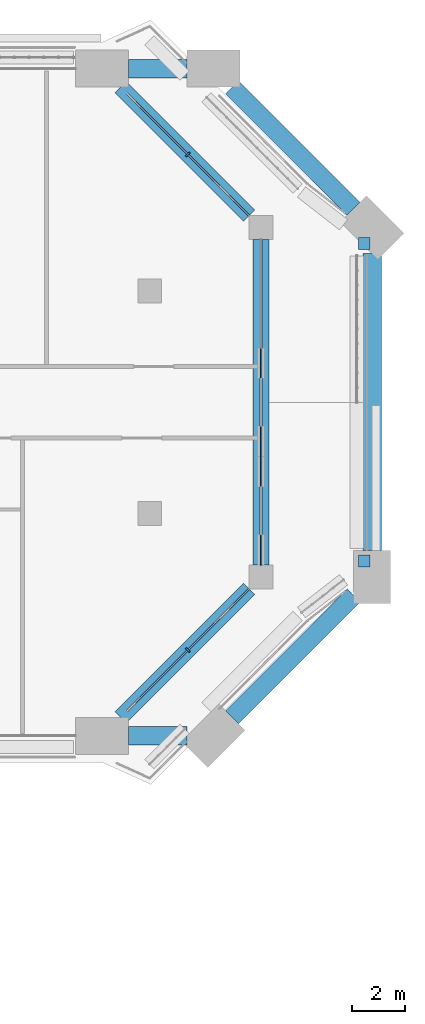
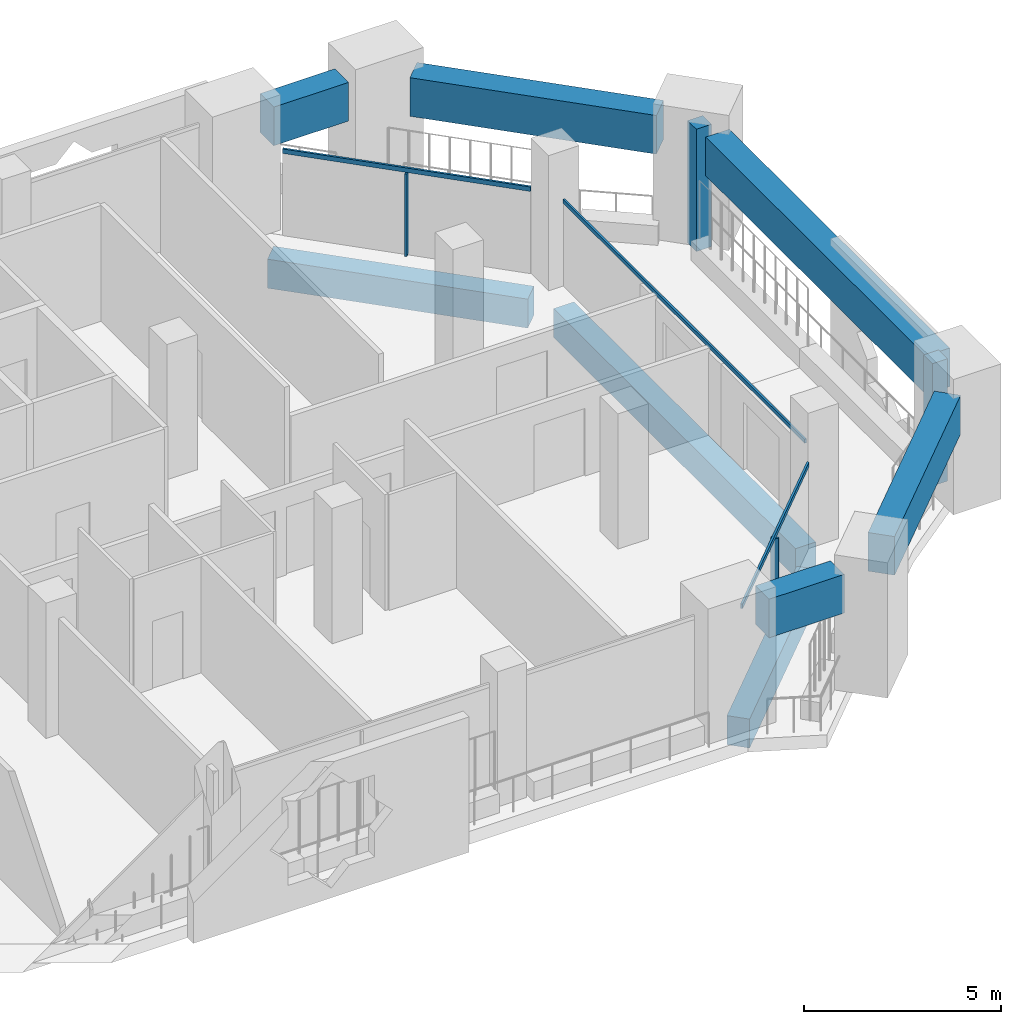
# One storey, part 7 of 21: 8 beams, 7 members, 4 elements without a shape of their own.
"""IFC4 building model written with IfcOpenShell, lengths in metres."""

from ifc_helpers import new_model, si_unit, direction, frame, origin, origin_2d, place, context, subcontext, project, spatial, rectangle, extrude, material, layer, layer_set, material_profile, profile_set, type_object, element, aggregate, save


model = new_model("IFC4")

# Units and contexts
model_context = context("Model", 3, precision=1e-05, world=origin(), true_north=direction((0.0, 1.0)))
body_context = subcontext(model_context, "Body", "Model", "MODEL_VIEW")
ifc_project = project(units=[si_unit("LENGTHUNIT", "METRE"), si_unit("AREAUNIT", "SQUARE_METRE"), si_unit("VOLUMEUNIT", "CUBIC_METRE"), si_unit("PLANEANGLEUNIT", "RADIAN"), si_unit("MASSUNIT", "GRAM", prefix="KILO")], contexts=[model_context])

# Site, building, storey
site_placement = place(None, origin())
site = spatial("IfcSite", under=ifc_project, at=site_placement, CompositionType="ELEMENT")
building_placement = place(site_placement, origin())
building = spatial("IfcBuilding", under=site, at=building_placement, Name="Kawkab Arch Medical Tower", CompositionType="ELEMENT")
storey_placement = place(building_placement, frame((0.0, 0.0, 234.800048828125)))
storey = spatial("IfcBuildingStorey", under=building, at=storey_placement, Name="L54", CompositionType="ELEMENT", Elevation=234.800048828125)

# Curtain wall, member
ifc_material_1 = material(Name="Bronze anodised aluminium curtain wall frame", Category="aluminium")
ifc_layer_1 = layer(ifc_material_1, 0.159912109375)
ifc_layer_set_1 = layer_set([ifc_layer_1], Name="Bronze anodised aluminium curtain wall frame")
curtain_wall_type_1 = type_object("IfcCurtainWallType", Name="CW1 ward curtain wall", PredefinedType="NOTDEFINED", material=ifc_layer_set_1)
placement = place(storey_placement, origin())
curtain_wall_1 = element("IfcCurtainWall", 1, at=placement, inside=storey, type_object=curtain_wall_type_1, Name="CW1 Ward curtain wall R09", PredefinedType="NOTDEFINED")
ifc_material_2 = material(Name="Bronze anodised aluminium curtain wall frame", Category="aluminium")
ifc_material_profile_1 = material_profile(ifc_material_2, rectangle(XDim=0.06005859375, YDim=0.1201171875, at=origin_2d()), Name="AL 60x120")
ifc_profile_set_1 = profile_set([ifc_material_profile_1], Name="Bronze anodised aluminium curtain wall frame")
member_type_1 = type_object("IfcMemberType", Name="CW1 transom 120 x 60", PredefinedType="USERDEFINED", material=ifc_profile_set_1)
member_1_placement = place(storey_placement, frame((63.0, -18.75, 2.639892578125), z_axis=(0.0, 1.0, 0.0), x_axis=(-1.0, 0.0, 0.0)))
member_1 = element("IfcMember", 2, at=member_1_placement, type_object=member_type_1, Name="CW1 transom 1", ObjectType="TRANSOM", PredefinedType="USERDEFINED", context=body_context, shape_type="SweptSolid", body=[
    extrude(rectangle(XDim=0.06005859375, YDim=0.1201171875, at=origin_2d()), origin(), (0.0, 0.0, 1.0), 12.300048828125),
])
aggregate(curtain_wall_1, [member_1])

ifc_material_3 = material(Name="Bronze anodised aluminium curtain wall frame", Category="aluminium")
ifc_layer_2 = layer(ifc_material_3, 0.159912109375)
ifc_layer_set_2 = layer_set([ifc_layer_2], Name="Bronze anodised aluminium curtain wall frame")
curtain_wall_type_2 = type_object("IfcCurtainWallType", Name="CW2 chamfer curtain wall", PredefinedType="NOTDEFINED", material=ifc_layer_set_2)
curtain_wall_2 = element("IfcCurtainWall", 3, at=placement, inside=storey, type_object=curtain_wall_type_2, Name="CW2 Chamfer curtain wall R08", PredefinedType="NOTDEFINED")
ifc_material_4 = material(Name="Bronze anodised aluminium curtain wall frame", Category="aluminium")
ifc_material_profile_2 = material_profile(ifc_material_4, rectangle(XDim=0.199951171875, YDim=0.06005859375, at=origin_2d()), Name="AL 60x200")
ifc_profile_set_2 = profile_set([ifc_material_profile_2], Name="Bronze anodised aluminium curtain wall frame")
member_type_2 = type_object("IfcMemberType", Name="CW2 mullion 60 x 200", PredefinedType="MULLION", material=ifc_profile_set_2)
member_2_placement = place(storey_placement, frame((60.240234375, -21.959716796875, 0.0), z_axis=(0.0, 0.0, 1.0), x_axis=(-0.707106781187, 0.707106781187, 0.0)))
member_2 = element("IfcMember", 4, at=member_2_placement, type_object=member_type_2, Name="CW2 mullion 1.1", PredefinedType="MULLION", context=body_context, shape_type="SweptSolid", body=[
    extrude(rectangle(XDim=0.199951171875, YDim=0.06005859375, at=origin_2d()), origin(), (0.0, 0.0, 1.0), 2.56005859375),
])

curtain_wall_3 = element("IfcCurtainWall", 5, at=placement, inside=storey, type_object=curtain_wall_type_2, Name="CW2 Chamfer curtain wall R10", PredefinedType="NOTDEFINED")
member_3_placement = place(storey_placement, frame((60.240234375, -3.240234375, 0.0), z_axis=(0.0, 0.0, 1.0), x_axis=(-0.707106781187, -0.707106781187, 0.0)))
member_3 = element("IfcMember", 6, at=member_3_placement, type_object=member_type_2, Name="CW2 mullion 1.1", PredefinedType="MULLION", context=body_context, shape_type="SweptSolid", body=[
    extrude(rectangle(XDim=0.199951171875, YDim=0.06005859375, at=origin_2d()), origin(), (0.0, 0.0, 1.0), 2.56005859375),
])

# Member
ifc_material_5 = material(Name="Bronze anodised aluminium curtain wall frame", Category="aluminium")
ifc_material_profile_3 = material_profile(ifc_material_5, rectangle(XDim=0.06005859375, YDim=0.139892578125, at=origin_2d()), Name="AL 60x140")
ifc_profile_set_3 = profile_set([ifc_material_profile_3], Name="Bronze anodised aluminium curtain wall frame")
member_type_3 = type_object("IfcMemberType", Name="CW2 transom 140 x 60", PredefinedType="USERDEFINED", material=ifc_profile_set_3)
member_4_placement = place(storey_placement, frame((57.930419921875, -24.269775390625, 2.6298828125), z_axis=(0.707088096654, 0.707125465225, 0.0), x_axis=(-0.707125465225, 0.707088096654, 0.0)))
member_4 = element("IfcMember", 7, at=member_4_placement, type_object=member_type_3, Name="CW2 transom 1", ObjectType="TRANSOM", PredefinedType="USERDEFINED", context=body_context, shape_type="SweptSolid", body=[
    extrude(rectangle(XDim=0.06005859375, YDim=0.139892578125, at=origin_2d()), origin(), (0.0, 0.0, 1.0), 6.533203125),
])

aggregate(curtain_wall_2, [member_4, member_2])

member_5_placement = place(storey_placement, frame((62.550048828125, -5.550048828125, 2.6298828125), z_axis=(-0.707106781187, 0.707106781187, 0.0), x_axis=(-0.707106781187, -0.707106781187, 0.0)))
member_5 = element("IfcMember", 8, at=member_5_placement, type_object=member_type_3, Name="CW2 transom 1", ObjectType="TRANSOM", PredefinedType="USERDEFINED", context=body_context, shape_type="SweptSolid", body=[
    extrude(rectangle(XDim=0.06005859375, YDim=0.139892578125, at=origin_2d()), origin(), (0.0, 0.0, 1.0), 6.533203125),
])

aggregate(curtain_wall_3, [member_5, member_3])

# Curtain wall, members
ifc_material_6 = material(Name="Bronze anodised aluminium climber frame, planted", Category="aluminium")
ifc_layer_3 = layer(ifc_material_6, 0.449951171875)
ifc_layer_set_3 = layer_set([ifc_layer_3], Name="Bronze anodised aluminium climber frame, planted")
curtain_wall_type_3 = type_object("IfcCurtainWallType", Name="Planted climber frame", PredefinedType="NOTDEFINED", material=ifc_layer_set_3)
curtain_wall_4 = element("IfcCurtainWall", 9, at=placement, inside=storey, type_object=curtain_wall_type_3, Name="Planted climber frame L54", PredefinedType="NOTDEFINED")
ifc_material_7 = material(Name="Bronze anodised aluminium climber frame, planted", Category="aluminium")
ifc_material_profile_4 = material_profile(ifc_material_7, rectangle(XDim=0.449951171875, YDim=0.449951171875, at=origin_2d()), Name="Post 450x450")
ifc_profile_set_4 = profile_set([ifc_material_profile_4], Name="Bronze anodised aluminium climber frame, planted")
member_type_4 = type_object("IfcMemberType", Name="Planted climber post 450 x 450", PredefinedType="MULLION", material=ifc_profile_set_4)
member_6_placement = place(storey_placement, frame((66.89990234375, -6.596923828125, 0.0), z_axis=(0.0, 0.0, 1.0), x_axis=(1.0, 0.0, 0.0)))
member_6 = element("IfcMember", 10, at=member_6_placement, type_object=member_type_4, Name="Planted climber post L54.LOG-01-01.1", PredefinedType="MULLION", context=body_context, shape_type="SweptSolid", body=[
    extrude(rectangle(XDim=0.449951171875, YDim=0.449951171875, at=origin_2d()), origin(), (0.0, 0.0, 1.0), 3.800048828125),
])
member_7_placement = place(storey_placement, frame((66.89990234375, -18.60302734375, 0.0), z_axis=(0.0, 0.0, 1.0), x_axis=(1.0, 0.0, 0.0)))
member_7 = element("IfcMember", 11, at=member_7_placement, type_object=member_type_4, Name="Planted climber post L54.LOG-01-01.2", PredefinedType="MULLION", context=body_context, shape_type="SweptSolid", body=[
    extrude(rectangle(XDim=0.449951171875, YDim=0.449951171875, at=origin_2d()), origin(), (0.0, 0.0, 1.0), 3.800048828125),
])
aggregate(curtain_wall_4, [member_6, member_7])

# Beams
ifc_material_8 = material(Name="Concrete C45/55", Category="concrete")
ifc_material_profile_5 = material_profile(ifc_material_8, rectangle(XDim=0.60009765625, YDim=0.89990234375, at=origin_2d()), Name="RC 600x900")
ifc_profile_set_5 = profile_set([ifc_material_profile_5], Name="Concrete C45/55")
beam_type_1 = type_object("IfcBeamType", Name="RC 600x900 beam C45/55", PredefinedType="BEAM", material=ifc_profile_set_5)
beam_1_placement = place(storey_placement, frame((57.699951171875, -0.699951171875, -1.050048828125), z_axis=(0.707106781187, -0.707106781187, 0.0), x_axis=(0.707106781187, 0.707106781187, 0.0)))
element("IfcBeam", 12, at=beam_1_placement, inside=storey, type_object=beam_type_1, Name="Overhang edge beam L54-01", PredefinedType="BEAM", context=body_context, shape_type="SweptSolid", body=[
    extrude(rectangle(XDim=0.60009765625, YDim=0.89990234375, at=origin_2d()), origin(), (0.0, 0.0, 1.0), 6.859130859375),
])
beam_2_placement = place(storey_placement, frame((63.0, -6.449951171875, -1.050048828125), z_axis=(0.0, -1.0, 0.0), x_axis=(1.0, 0.0, 0.0)))
element("IfcBeam", 13, at=beam_2_placement, inside=storey, type_object=beam_type_1, Name="Overhang edge beam L54-02", PredefinedType="BEAM", context=body_context, shape_type="SweptSolid", body=[
    extrude(rectangle(XDim=0.60009765625, YDim=0.89990234375, at=origin_2d()), origin(), (0.0, 0.0, 1.0), 12.300048828125),
])
beam_3_placement = place(storey_placement, frame((62.550048828125, -19.64990234375, -1.050048828125), z_axis=(-0.707106781187, -0.707106781187, 0.0), x_axis=(0.707106781187, -0.707106781187, 0.0)))
element("IfcBeam", 14, at=beam_3_placement, inside=storey, type_object=beam_type_1, Name="Overhang edge beam L54-03", PredefinedType="BEAM", context=body_context, shape_type="SweptSolid", body=[
    extrude(rectangle(XDim=0.60009765625, YDim=0.89990234375, at=origin_2d()), origin(), (0.0, 0.0, 1.0), 6.859130859375),
])
ifc_material_9 = material(Name="Concrete C45/55", Category="concrete")
ifc_material_profile_6 = material_profile(ifc_material_9, rectangle(XDim=0.699951171875, YDim=1.199951171875, at=origin_2d()), Name="RC 700x1200")
ifc_profile_set_6 = profile_set([ifc_material_profile_6], Name="Concrete C45/55")
beam_type_2 = type_object("IfcBeamType", Name="RC 700x1200 beam C45/55", PredefinedType="BEAM", material=ifc_profile_set_6)
beam_4_placement = place(storey_placement, frame((58.0, 0.0, 3.0), z_axis=(1.0, 0.0, 0.0), x_axis=(0.0, 1.0, 0.0)))
element("IfcBeam", 15, at=beam_4_placement, inside=storey, type_object=beam_type_2, Name="Terrace frame beam TF-L53-1-L55-01", PredefinedType="BEAM", context=body_context, shape_type="SweptSolid", body=[
    extrude(rectangle(XDim=0.699951171875, YDim=1.199951171875, at=origin_2d()), origin(), (0.0, 0.0, 1.0), 2.199951171875),
])
beam_5_placement = place(storey_placement, frame((61.89990234375, -0.699951171875, 3.0), z_axis=(0.707106781187, -0.707106781187, 0.0), x_axis=(0.707106781187, 0.707106781187, 0.0)))
element("IfcBeam", 16, at=beam_5_placement, inside=storey, type_object=beam_type_2, Name="Terrace frame beam TF-L53-1-L55-02", PredefinedType="BEAM", context=body_context, shape_type="SweptSolid", body=[
    extrude(rectangle(XDim=0.699951171875, YDim=1.199951171875, at=origin_2d()), origin(), (0.0, 0.0, 1.0), 6.49560546875),
])
beam_6_placement = place(storey_placement, frame((67.199951171875, -6.989990234375, 3.0), z_axis=(0.0, -1.0, 0.0), x_axis=(1.0, 0.0, 0.0)))
element("IfcBeam", 17, at=beam_6_placement, inside=storey, type_object=beam_type_2, Name="Terrace frame beam TF-L53-1-L55-03", PredefinedType="BEAM", context=body_context, shape_type="SweptSolid", body=[
    extrude(rectangle(XDim=0.699951171875, YDim=1.199951171875, at=origin_2d()), origin(), (0.0, 0.0, 1.0), 11.2099609375),
])
beam_7_placement = place(storey_placement, frame((66.5, -19.89990234375, 3.0), z_axis=(-0.707106781187, -0.707106781187, 0.0), x_axis=(0.707106781187, -0.707106781187, 0.0)))
element("IfcBeam", 18, at=beam_7_placement, inside=storey, type_object=beam_type_2, Name="Terrace frame beam TF-L53-1-L55-04", PredefinedType="BEAM", context=body_context, shape_type="SweptSolid", body=[
    extrude(rectangle(XDim=0.699951171875, YDim=1.199951171875, at=origin_2d()), origin(), (0.0, 0.0, 1.0), 6.49560546875),
])
beam_8_placement = place(storey_placement, frame((60.210205078125, -25.199951171875, 3.0), z_axis=(-1.0, 0.0, 0.0), x_axis=(0.0, -1.0, 0.0)))
element("IfcBeam", 19, at=beam_8_placement, inside=storey, type_object=beam_type_2, Name="Terrace frame beam TF-L53-1-L55-05", PredefinedType="BEAM", context=body_context, shape_type="SweptSolid", body=[
    extrude(rectangle(XDim=0.699951171875, YDim=1.199951171875, at=origin_2d()), origin(), (0.0, 0.0, 1.0), 2.210205078125),
])

save(model, "model.ifc")
